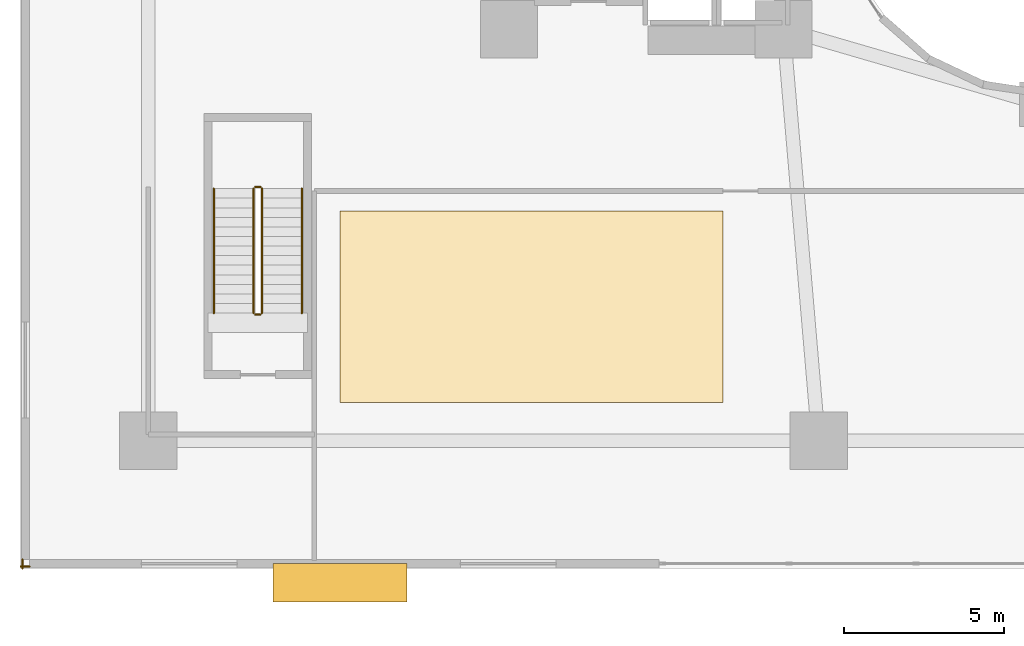
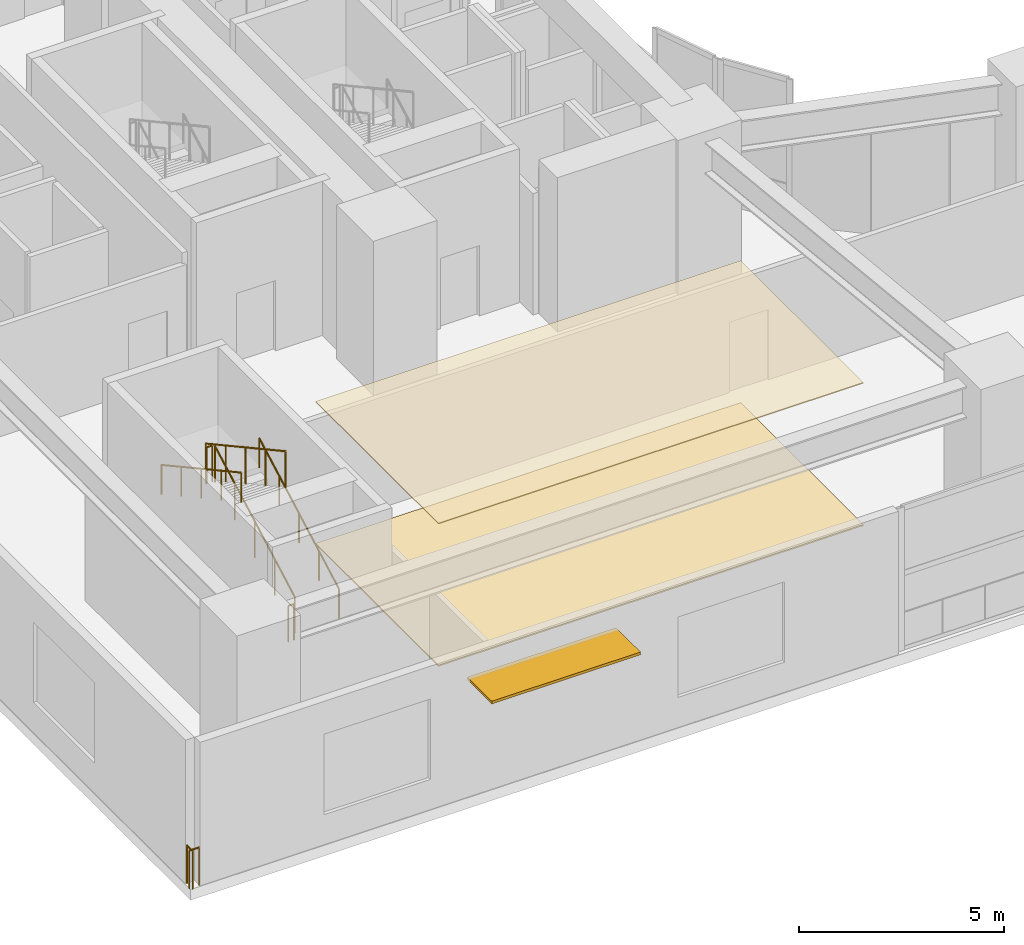
# One storey, part 19 of 25: 8 railings, 2 coverings, 1 shading device.
"""IFC4 building model written with IfcOpenShell, lengths in metres."""

from ifc_helpers import new_model, si_unit, direction, frame, origin, origin_2d, place, context, subcontext, project, spatial, polyline, rectangle, circle, outline, extrude, material, layer, layer_set, type_object, element, save


model = new_model("IFC4")

# Units and contexts
model_context = context("Model", 3, precision=1e-05, world=origin(), true_north=direction((0.0, 1.0)))
body_context = subcontext(model_context, "Body", "Model", "MODEL_VIEW")
ifc_project = project(units=[si_unit("LENGTHUNIT", "METRE"), si_unit("AREAUNIT", "SQUARE_METRE"), si_unit("VOLUMEUNIT", "CUBIC_METRE"), si_unit("PLANEANGLEUNIT", "RADIAN"), si_unit("MASSUNIT", "GRAM", prefix="KILO")], contexts=[model_context])

# Site, building, storey
site_placement = place(None, origin())
site = spatial("IfcSite", under=ifc_project, at=site_placement, CompositionType="ELEMENT")
building_placement = place(site_placement, origin())
building = spatial("IfcBuilding", under=site, at=building_placement, Name="Solvane Sanctuary Tower", CompositionType="ELEMENT")
storey_placement = place(building_placement, frame((0.0, 0.0, 4.60009765625)))
storey = spatial("IfcBuildingStorey", under=building, at=storey_placement, Name="L02", CompositionType="ELEMENT", Elevation=4.60009765625)

# Coverings
ifc_material_1 = material(Name="Acoustic Gypsum Partition Board")
ifc_layer_1 = layer(ifc_material_1, 0.02490234375, Name="Acoustic Gypsum Partition Board")
ifc_layer_set_1 = layer_set([ifc_layer_1], Name="Acoustic Gypsum Partition Board")
covering_type_1 = type_object("IfcCoveringType", Name="Covering CLG-ACOUST", PredefinedType="CEILING", material=ifc_layer_set_1)
covering_1_placement = place(storey_placement, frame((0.0, 0.0, 4.25)))
element("IfcCovering", 1, at=covering_1_placement, inside=storey, type_object=covering_type_1, Name="L02 Sanctuary Acoustic Ceiling", PredefinedType="CEILING", context=body_context, shape_type="SweptSolid", body=[
    extrude(outline(polyline([(10.0, 5.199951171875), (22.0, 5.199951171875), (22.0, 11.199951171875), (10.0, 11.199951171875), (10.0, 5.199951171875)])), origin(), (0.0, 0.0, 1.0), 0.02978515625),
])
ifc_material_2 = material(Name="Ceramic Tile Finish")
ifc_layer_2 = layer(ifc_material_2, 0.030029296875, Name="Ceramic Tile Finish")
ifc_layer_set_2 = layer_set([ifc_layer_2], Name="Ceramic Tile Finish")
covering_type_2 = type_object("IfcCoveringType", Name="Covering FLR-TERRAZZO", PredefinedType="FLOORING", material=ifc_layer_set_2)
covering_2_placement = place(storey_placement, origin())
element("IfcCovering", 2, at=covering_2_placement, inside=storey, type_object=covering_type_2, Name="L02 Sanctuary Terrazzo Floor", PredefinedType="FLOORING", context=body_context, shape_type="SweptSolid", body=[
    extrude(outline(polyline([(10.0, 5.199951171875), (22.0, 5.199951171875), (22.0, 11.199951171875), (10.0, 11.199951171875), (10.0, 5.199951171875)])), origin(), (0.0, 0.0, 1.0), 0.039794921875),
])

# Railings
ifc_material_3 = material(Name="Architectural Stainless Steel 316", Category="steel")
railing_type_1 = type_object("IfcRailingType", Name="Railing GR-BALC-1150", PredefinedType="BALUSTRADE", material=ifc_material_3)
railing_1_placement = place(storey_placement, frame((0.06005859375, 0.0, 0.0)))
element("IfcRailing", 3, at=railing_1_placement, inside=storey, type_object=railing_type_1, Name="L02 Perimeter Slab Edge Guardrail 01", PredefinedType="BALUSTRADE", context=body_context, shape_type="SweptSolid", body=[
    extrude(circle(Radius=0.02392578125, at=origin_2d()), frame((0.0, 0.0, 1.1259765625), z_axis=(0.0, 1.0, 0.0), x_axis=(-1.0, 0.0, 0.0)), (0.0, 0.0, 1.0), 0.280029296875),
    extrude(circle(Radius=0.02099609375, at=origin_2d()), origin(), (0.0, 0.0, 1.0), 1.101806640625),
    extrude(circle(Radius=0.02099609375, at=origin_2d()), frame((0.0, 0.280029296875, 0.0)), (0.0, 0.0, 1.0), 1.101806640625),
])
railing_2_placement = place(storey_placement, frame((0.280029296875, 0.06005859375, 0.0)))
element("IfcRailing", 4, at=railing_2_placement, inside=storey, type_object=railing_type_1, Name="L02 Perimeter Slab Edge Guardrail 05", PredefinedType="BALUSTRADE", context=body_context, shape_type="SweptSolid", body=[
    extrude(circle(Radius=0.02392578125, at=origin_2d()), frame((0.0, 0.0, 1.1259765625), z_axis=(-1.0, 0.0, 0.0), x_axis=(0.0, -1.0, 0.0)), (0.0, 0.0, 1.0), 0.280029296875),
    extrude(circle(Radius=0.02099609375, at=origin_2d()), origin(), (0.0, 0.0, 1.0), 1.101806640625),
    extrude(circle(Radius=0.02099609375, at=origin_2d()), frame((-0.280029296875, 0.0, 0.0)), (0.0, 0.0, 1.0), 1.101806640625),
])
railing_3_placement = place(storey_placement, frame((7.56005859375, 8.0, 0.164306640625)))
element("IfcRailing", 5, at=railing_3_placement, inside=storey, type_object=railing_type_1, Name="L02 ST-4 stair guard 1", PredefinedType="BALUSTRADE", context=body_context, shape_type="SweptSolid", body=[
    extrude(circle(Radius=0.02392578125, at=origin_2d()), frame((0.0, 0.0, 1.076171875), z_axis=(0.0, 0.877111688762, 0.480286461851), x_axis=(-1.0, 0.0, 0.0)), (0.0, 0.0, 1.0), 4.4462890625),
    extrude(circle(Radius=0.02099609375, at=origin_2d()), origin(), (0.0, 0.0, 1.0), 1.052001953125),
    extrude(circle(Radius=0.02099609375, at=origin_2d()), frame((0.0, 0.97509765625, 0.533935546875)), (0.0, 0.0, 1.0), 1.052001953125),
    extrude(circle(Radius=0.02099609375, at=origin_2d()), frame((0.0, 1.949951171875, 1.06787109375)), (0.0, 0.0, 1.0), 1.052001953125),
    extrude(circle(Radius=0.02099609375, at=origin_2d()), frame((0.0, 2.9248046875, 1.6015625)), (0.0, 0.0, 1.0), 1.052001953125),
    extrude(circle(Radius=0.02099609375, at=origin_2d()), frame((0.0, 3.89990234375, 2.135498046875)), (0.0, 0.0, 1.0), 1.052001953125),
])
railing_4_placement = place(storey_placement, frame((7.510009765625, 11.949951171875, 2.2998046875)))
element("IfcRailing", 6, at=railing_4_placement, inside=storey, type_object=railing_type_1, Name="L02 ST-4 stair guard 2", PredefinedType="BALUSTRADE", context=body_context, shape_type="SweptSolid", body=[
    extrude(circle(Radius=0.02392578125, at=origin_2d()), frame((0.0, 0.0, 1.076171875), z_axis=(-1.0, 0.0, 0.0), x_axis=(0.0, -1.0, 0.0)), (0.0, 0.0, 1.0), 0.159912109375),
    extrude(circle(Radius=0.02099609375, at=origin_2d()), origin(), (0.0, 0.0, 1.0), 1.052001953125),
    extrude(circle(Radius=0.02099609375, at=origin_2d()), frame((-0.159912109375, 0.0, 0.0)), (0.0, 0.0, 1.0), 1.052001953125),
])
railing_5_placement = place(storey_placement, frame((7.300048828125, 11.89990234375, 2.464111328125)))
element("IfcRailing", 7, at=railing_5_placement, inside=storey, type_object=railing_type_1, Name="L02 ST-4 stair guard 3", PredefinedType="BALUSTRADE", context=body_context, shape_type="SweptSolid", body=[
    extrude(circle(Radius=0.02392578125, at=origin_2d()), frame((0.0, 0.0, 1.076171875), z_axis=(0.0, -0.877088557246, 0.480328702816), x_axis=(1.0, 0.0, 0.0)), (0.0, 0.0, 1.0), 4.446533203125),
    extrude(circle(Radius=0.02099609375, at=origin_2d()), origin(), (0.0, 0.0, 1.0), 1.052001953125),
    extrude(circle(Radius=0.02099609375, at=origin_2d()), frame((0.0, -0.97509765625, 0.533935546875)), (0.0, 0.0, 1.0), 1.052001953125),
    extrude(circle(Radius=0.02099609375, at=origin_2d()), frame((0.0, -1.949951171875, 1.06787109375)), (0.0, 0.0, 1.0), 1.052001953125),
    extrude(circle(Radius=0.02099609375, at=origin_2d()), frame((0.0, -2.9248046875, 1.601806640625)), (0.0, 0.0, 1.0), 1.052001953125),
    extrude(circle(Radius=0.02099609375, at=origin_2d()), frame((0.0, -3.89990234375, 2.1357421875)), (0.0, 0.0, 1.0), 1.052001953125),
])
railing_6_placement = place(storey_placement, frame((7.510009765625, 7.949951171875, 0.0)))
element("IfcRailing", 8, at=railing_6_placement, inside=storey, type_object=railing_type_1, Name="L02 ST-4 stair guard 4", PredefinedType="BALUSTRADE", context=body_context, shape_type="SweptSolid", body=[
    extrude(circle(Radius=0.02392578125, at=origin_2d()), frame((0.0, 0.0, 1.076171875), z_axis=(-1.0, 0.0, 0.0), x_axis=(0.0, -1.0, 0.0)), (0.0, 0.0, 1.0), 0.159912109375),
    extrude(circle(Radius=0.02099609375, at=origin_2d()), origin(), (0.0, 0.0, 1.0), 1.052001953125),
    extrude(circle(Radius=0.02099609375, at=origin_2d()), frame((-0.159912109375, 0.0, 0.0)), (0.0, 0.0, 1.0), 1.052001953125),
])
railing_type_2 = type_object("IfcRailingType", Name="Railing HR-STAIR-920", PredefinedType="HANDRAIL", material=ifc_material_3)
railing_7_placement = place(storey_placement, frame((8.81005859375, 8.0, 0.164306640625)))
element("IfcRailing", 9, at=railing_7_placement, inside=storey, type_object=railing_type_2, Name="L02 ST-4 stair handrail 1", PredefinedType="HANDRAIL", context=body_context, shape_type="SweptSolid", body=[
    extrude(circle(Radius=0.02392578125, at=origin_2d()), frame((0.0, 0.0, 0.8759765625), z_axis=(0.0, 0.877111688762, 0.480286461851), x_axis=(-1.0, 0.0, 0.0)), (0.0, 0.0, 1.0), 4.4462890625),
    extrude(circle(Radius=0.02099609375, at=origin_2d()), origin(), (0.0, 0.0, 1.0), 0.851806640625),
    extrude(circle(Radius=0.02099609375, at=origin_2d()), frame((0.0, 0.97509765625, 0.533935546875)), (0.0, 0.0, 1.0), 0.851806640625),
    extrude(circle(Radius=0.02099609375, at=origin_2d()), frame((0.0, 1.949951171875, 1.06787109375)), (0.0, 0.0, 1.0), 0.851806640625),
    extrude(circle(Radius=0.02099609375, at=origin_2d()), frame((0.0, 2.9248046875, 1.6015625)), (0.0, 0.0, 1.0), 0.851806640625),
    extrude(circle(Radius=0.02099609375, at=origin_2d()), frame((0.0, 3.89990234375, 2.135498046875)), (0.0, 0.0, 1.0), 0.851806640625),
])
railing_8_placement = place(storey_placement, frame((6.050048828125, 11.89990234375, 2.464111328125)))
element("IfcRailing", 10, at=railing_8_placement, inside=storey, type_object=railing_type_2, Name="L02 ST-4 stair handrail 2", PredefinedType="HANDRAIL", context=body_context, shape_type="SweptSolid", body=[
    extrude(circle(Radius=0.02392578125, at=origin_2d()), frame((0.0, 0.0, 0.8759765625), z_axis=(0.0, -0.877088557246, 0.480328702816), x_axis=(1.0, 0.0, 0.0)), (0.0, 0.0, 1.0), 4.446533203125),
    extrude(circle(Radius=0.02099609375, at=origin_2d()), origin(), (0.0, 0.0, 1.0), 0.851806640625),
    extrude(circle(Radius=0.02099609375, at=origin_2d()), frame((0.0, -0.97509765625, 0.533935546875)), (0.0, 0.0, 1.0), 0.851806640625),
    extrude(circle(Radius=0.02099609375, at=origin_2d()), frame((0.0, -1.949951171875, 1.06787109375)), (0.0, 0.0, 1.0), 0.851806640625),
    extrude(circle(Radius=0.02099609375, at=origin_2d()), frame((0.0, -2.9248046875, 1.601806640625)), (0.0, 0.0, 1.0), 0.851806640625),
    extrude(circle(Radius=0.02099609375, at=origin_2d()), frame((0.0, -3.89990234375, 2.1357421875)), (0.0, 0.0, 1.0), 0.851806640625),
])

# Shading device
ifc_material_4 = material(Name="Anodised Aluminium 6063-T6", Category="aluminium")
ifc_layer_3 = layer(ifc_material_4, 0.080078125, Name="Anodised Aluminium 6063-T6")
ifc_layer_set_3 = layer_set([ifc_layer_3], Name="Anodised Aluminium 6063-T6")
shading_device_type = type_object("IfcShadingDeviceType", Name="Shading SHD-SUNSHADE", PredefinedType="AWNING", material=ifc_layer_set_3)
shading_device_placement = place(storey_placement, frame((10.0, -0.449951171875, 3.409912109375), z_axis=(0.0, 0.0, 1.0), x_axis=(1.0, 0.0, 0.0)))
element("IfcShadingDevice", 11, at=shading_device_placement, inside=storey, type_object=shading_device_type, Name="L02 Tropical Sunshade Canopy S1", PredefinedType="AWNING", context=body_context, shape_type="SweptSolid", body=[
    extrude(rectangle(XDim=4.199951171875, YDim=1.199951171875, at=origin_2d()), origin(), (0.0, 0.0, 1.0), 0.080078125),
])

save(model, "model.ifc")
